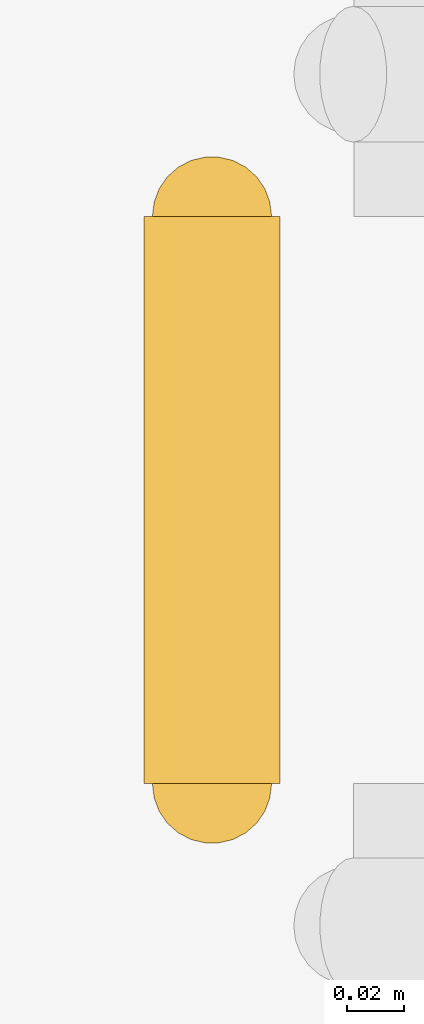
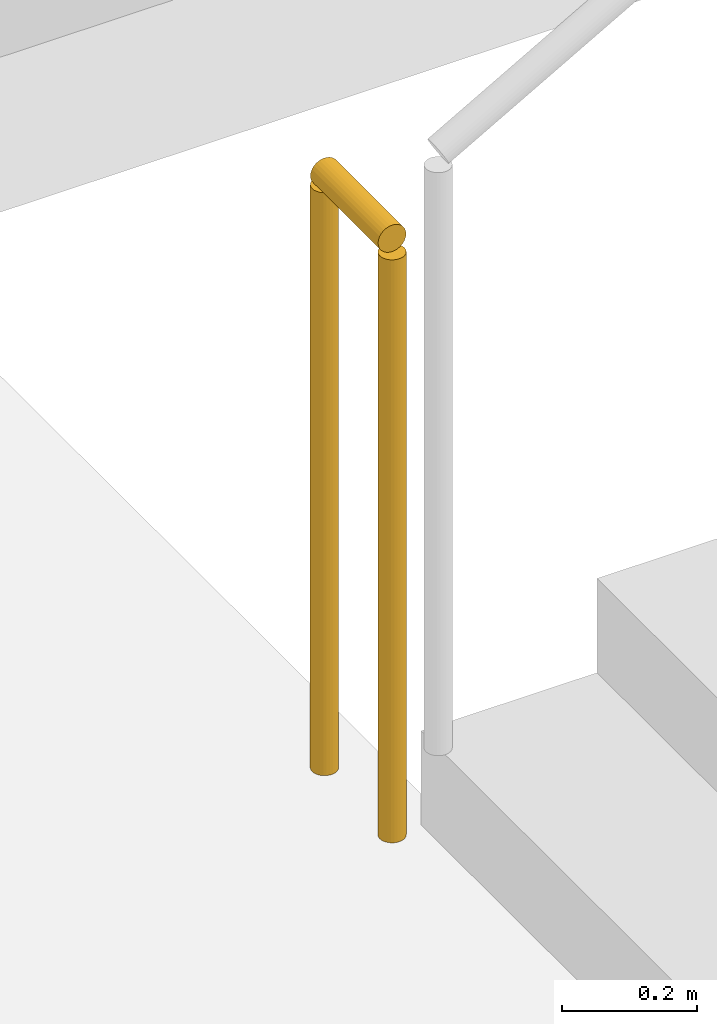
# One storey, part 105 of 117: 1 railing.
"""IFC4 building model written with IfcOpenShell, lengths in metres."""

from ifc_helpers import new_model, si_unit, direction, frame, origin, origin_2d, place, context, subcontext, project, spatial, circle, extrude, material, layer, layer_set, type_object, element, save


model = new_model("IFC4")

# Units and contexts
model_context = context("Model", 3, precision=1e-05, world=origin(), true_north=direction((0.0, 1.0)))
body_context = subcontext(model_context, "Body", "Model", "MODEL_VIEW")
ifc_project = project(units=[si_unit("LENGTHUNIT", "METRE"), si_unit("AREAUNIT", "SQUARE_METRE"), si_unit("VOLUMEUNIT", "CUBIC_METRE"), si_unit("PLANEANGLEUNIT", "RADIAN"), si_unit("MASSUNIT", "GRAM", prefix="KILO")], contexts=[model_context])

# Site, building, storey
site_placement = place(None, origin())
site = spatial("IfcSite", under=ifc_project, at=site_placement, CompositionType="ELEMENT")
building_placement = place(site_placement, origin())
building = spatial("IfcBuilding", under=site, at=building_placement, Name="Carrowvane Square Congress Hotel", CompositionType="ELEMENT")
storey_placement = place(building_placement, frame((0.0, 0.0, 5.39990234375)))
storey = spatial("IfcBuildingStorey", under=building, at=storey_placement, Name="L01", CompositionType="ELEMENT", Elevation=5.39990234375)

# Railing
ifc_material = material(Name="Galvanised steel", Category="steel")
ifc_layer = layer(ifc_material, 0.048095703125)
ifc_layer_set = layer_set([ifc_layer], Name="Galvanised steel")
railing_type = type_object("IfcRailingType", Name="RLG-STG-1100", PredefinedType="GUARDRAIL", material=ifc_layer_set)
railing_placement = place(storey_placement, frame((137.35009765625, 7.85009765625, 0.0)))
element("IfcRailing", 1, at=railing_placement, inside=storey, type_object=railing_type, Name="L01 ST10 stair guard 4", PredefinedType="GUARDRAIL", context=body_context, shape_type="SweptSolid", body=[
    extrude(circle(Radius=0.02392578125, at=origin_2d()), frame((0.0, 0.0, 1.076171875), z_axis=(0.0, 1.0, 0.0), x_axis=(-1.0, 0.0, 0.0)), (0.0, 0.0, 1.0), 0.199951171875),
    extrude(circle(Radius=0.02099609375, at=origin_2d()), origin(), (0.0, 0.0, 1.0), 1.052001953125),
    extrude(circle(Radius=0.02099609375, at=origin_2d()), frame((0.0, 0.199951171875, 0.0)), (0.0, 0.0, 1.0), 1.052001953125),
])

save(model, "model.ifc")
